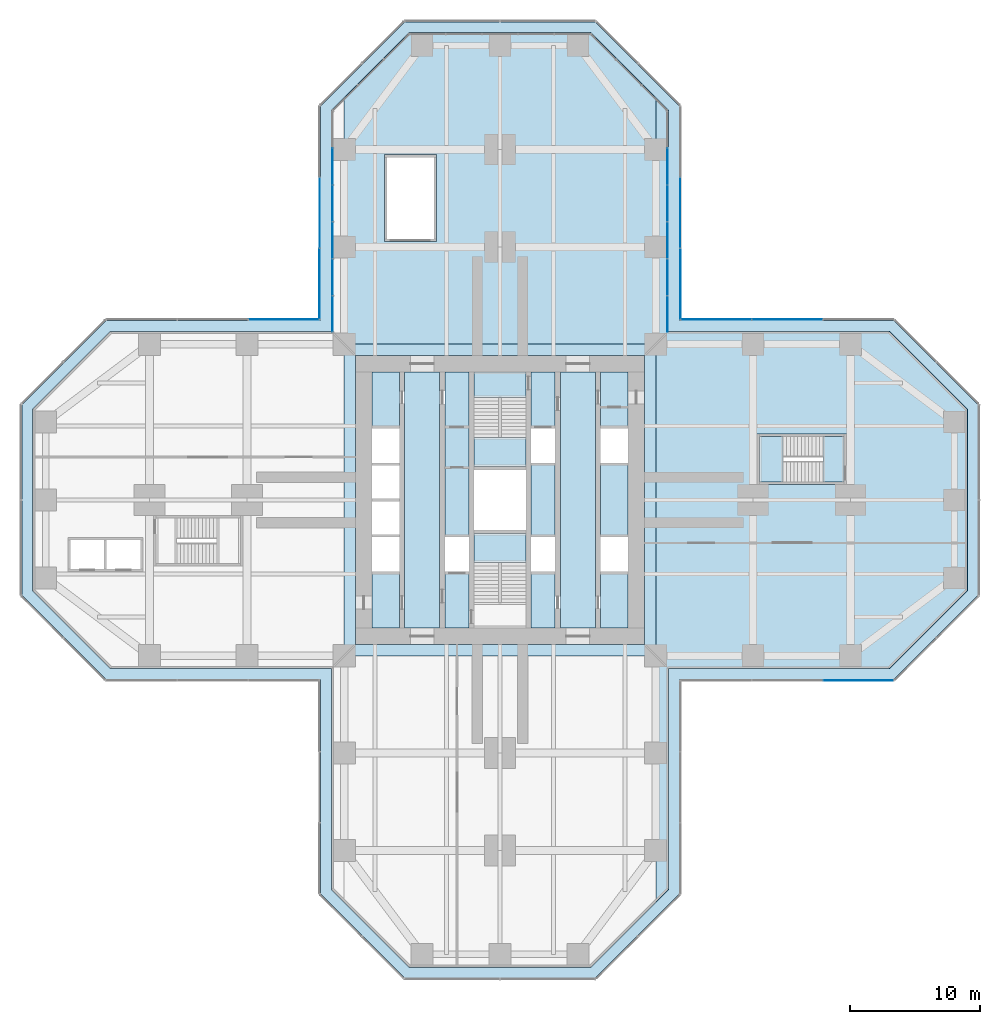
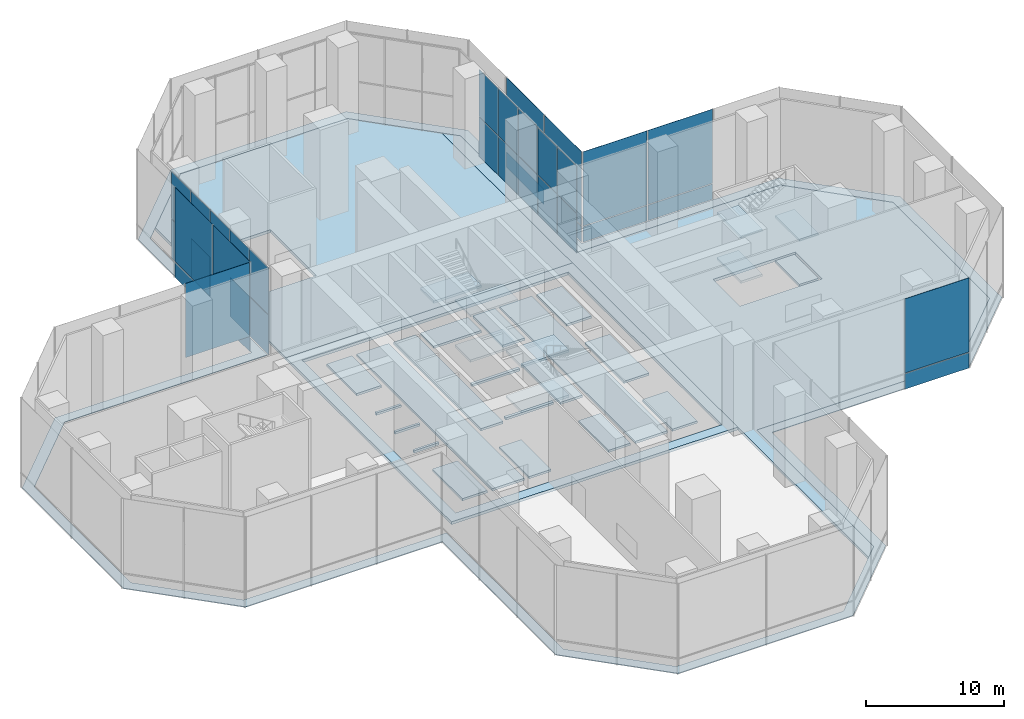
# One storey, part 15 of 25: 36 plates, 14 slabs, 10 elements without a shape of their own.
"""IFC4 building model written with IfcOpenShell, lengths in metres."""

from ifc_helpers import new_model, si_unit, direction, frame, origin, origin_2d, place, context, subcontext, project, spatial, polyline, rectangle, outline, extrude, material, layer, layer_set, type_object, element, aggregate, save


model = new_model("IFC4")

# Units and contexts
model_context = context("Model", 3, precision=1e-05, world=origin(), true_north=direction((0.0, 1.0)))
body_context = subcontext(model_context, "Body", "Model", "MODEL_VIEW")
ifc_project = project(units=[si_unit("LENGTHUNIT", "METRE"), si_unit("AREAUNIT", "SQUARE_METRE"), si_unit("VOLUMEUNIT", "CUBIC_METRE"), si_unit("PLANEANGLEUNIT", "RADIAN"), si_unit("MASSUNIT", "GRAM", prefix="KILO")], contexts=[model_context])

# Site, building, storey
site_placement = place(None, origin())
site = spatial("IfcSite", under=ifc_project, at=site_placement, CompositionType="ELEMENT")
building_placement = place(site_placement, origin())
building = spatial("IfcBuilding", under=site, at=building_placement, Name="Mizan Broadcast Tower", CompositionType="ELEMENT")
storey_placement = place(building_placement, frame((0.0, 0.0, 7.0)))
storey = spatial("IfcBuildingStorey", under=building, at=storey_placement, Name="L01", CompositionType="ELEMENT", Elevation=7.0)

# Plate
ifc_material_1 = material(Name="Aluminium grating", Category="aluminium")
ifc_layer_1 = layer(ifc_material_1, 0.050048828125)
ifc_layer_set_1 = layer_set([ifc_layer_1], Name="Aluminium grating")
plate_type_1 = type_object("IfcPlateType", Name="CAVITY GRATING", PredefinedType="USERDEFINED", material=ifc_layer_set_1)
plate_1_placement = place(storey_placement, frame((0.0, 0.0, -0.050048828125)))
element("IfcPlate", 1, at=plate_1_placement, inside=storey, type_object=plate_type_1, Name="Cavity grating L01", ObjectType="GRATING", PredefinedType="USERDEFINED", context=body_context, shape_type="SweptSolid", body=[
    extrude(outline(polyline([(7.339599609375, -36.820068359375), (13.820068359375, -30.339599609375), (13.820068359375, -13.820068359375), (30.339599609375, -13.820068359375), (36.820068359375, -7.339599609375), (36.820068359375, 7.339599609375), (30.339599609375, 13.820068359375), (13.820068359375, 13.820068359375), (13.820068359375, 30.339599609375), (7.339599609375, 36.820068359375), (-7.339599609375, 36.820068359375), (-13.820068359375, 30.339599609375), (-13.820068359375, 13.820068359375), (-30.339599609375, 13.820068359375), (-36.820068359375, 7.339599609375), (-36.820068359375, -7.339599609375), (-30.339599609375, -13.820068359375), (-13.820068359375, -13.820068359375), (-13.820068359375, -30.339599609375), (-7.339599609375, -36.820068359375), (7.339599609375, -36.820068359375)]), holes=[polyline([(36.0, -7.0), (30.0, -13.0), (13.0, -13.0), (13.0, -30.0), (7.0, -36.0), (-7.0, -36.0), (-13.0, -30.0), (-13.0, -13.0), (-30.0, -13.0), (-36.0, -7.0), (-36.0, 7.0), (-30.0, 13.0), (-13.0, 13.0), (-13.0, 30.0), (-7.0, 36.0), (7.0, 36.0), (13.0, 30.0), (13.0, 13.0), (30.0, 13.0), (36.0, 7.0), (36.0, -7.0)])]), origin(), (0.0, 0.0, 1.0), 0.050048828125),
])

# Slab
ifc_material_2 = material(Name="Concrete C40/50", Category="concrete")
ifc_layer_2 = layer(ifc_material_2, 0.199951171875)
ifc_layer_set_2 = layer_set([ifc_layer_2], Name="Concrete C40/50")
slab_type_1 = type_object("IfcSlabType", Name="CORE FLOOR 200", PredefinedType="FLOOR", material=ifc_layer_set_2)
slab_1_placement = place(storey_placement, frame((0.0, 0.0, -0.199951171875)))
element("IfcSlab", 2, at=slab_1_placement, inside=storey, type_object=slab_type_1, Name="Core floor L01", PredefinedType="FLOOR", context=body_context, shape_type="SweptSolid", body=[
    extrude(outline(polyline([(-9.85009765625, -9.85009765625), (-7.75, -9.85009765625), (-7.75, -5.5), (-9.85009765625, -5.5), (-9.85009765625, -9.85009765625)])), origin(), (0.0, 0.0, 1.0), 0.199951171875),
    extrude(outline(polyline([(-9.85009765625, -2.85009765625), (-7.75, -2.85009765625), (-7.75, -2.64990234375), (-9.85009765625, -2.64990234375), (-9.85009765625, -2.85009765625)])), origin(), (0.0, 0.0, 1.0), 0.199951171875),
    extrude(outline(polyline([(-9.85009765625, -0.10009765625), (-7.75, -0.10009765625), (-7.75, 0.10009765625), (-9.85009765625, 0.10009765625), (-9.85009765625, -0.10009765625)])), origin(), (0.0, 0.0, 1.0), 0.199951171875),
    extrude(outline(polyline([(-9.85009765625, 2.64990234375), (-7.75, 2.64990234375), (-7.75, 2.85009765625), (-9.85009765625, 2.85009765625), (-9.85009765625, 2.64990234375)])), origin(), (0.0, 0.0, 1.0), 0.199951171875),
    extrude(outline(polyline([(-9.85009765625, 5.5), (-7.75, 5.5), (-7.75, 9.85009765625), (-9.85009765625, 9.85009765625), (-9.85009765625, 5.5)])), origin(), (0.0, 0.0, 1.0), 0.199951171875),
    extrude(outline(polyline([(-4.64990234375, 9.85009765625), (-7.35009765625, 9.85009765625), (-7.35009765625, -9.85009765625), (-4.64990234375, -9.85009765625), (-4.64990234375, 9.85009765625)])), origin(), (0.0, 0.0, 1.0), 0.199951171875),
    extrude(outline(polyline([(-4.25, -5.5), (-4.25, -9.85009765625), (-2.39990234375, -9.85009765625), (-2.39990234375, -5.5), (-4.25, -5.5)])), origin(), (0.0, 0.0, 1.0), 0.199951171875),
    extrude(outline(polyline([(-4.25, -2.85009765625), (-2.39990234375, -2.85009765625), (-2.39990234375, 9.85009765625), (-4.25, 9.85009765625), (-4.25, -2.85009765625)])), origin(), (0.0, 0.0, 1.0), 0.199951171875),
    extrude(outline(polyline([(2.0, -2.324951171875), (-2.0, -2.324951171875), (-2.0, -2.574951171875), (2.0, -2.574951171875), (2.0, -2.324951171875)])), origin(), (0.0, 0.0, 1.0), 0.199951171875),
    extrude(outline(polyline([(2.0, 2.574951171875), (-2.0, 2.574951171875), (-2.0, 2.324951171875), (2.0, 2.324951171875), (2.0, 2.574951171875)])), origin(), (0.0, 0.0, 1.0), 0.199951171875),
    extrude(outline(polyline([(4.25, -9.85009765625), (4.25, -5.5), (2.39990234375, -5.5), (2.39990234375, -9.85009765625), (4.25, -9.85009765625)])), origin(), (0.0, 0.0, 1.0), 0.199951171875),
    extrude(outline(polyline([(4.25, -2.85009765625), (4.25, 2.85009765625), (2.39990234375, 2.85009765625), (2.39990234375, -2.85009765625), (4.25, -2.85009765625)])), origin(), (0.0, 0.0, 1.0), 0.199951171875),
    extrude(outline(polyline([(4.25, 5.5), (4.25, 9.85009765625), (2.39990234375, 9.85009765625), (2.39990234375, 5.5), (4.25, 5.5)])), origin(), (0.0, 0.0, 1.0), 0.199951171875),
    extrude(outline(polyline([(4.64990234375, 9.85009765625), (4.64990234375, -9.85009765625), (7.35009765625, -9.85009765625), (7.35009765625, 9.85009765625), (4.64990234375, 9.85009765625)])), origin(), (0.0, 0.0, 1.0), 0.199951171875),
    extrude(outline(polyline([(9.85009765625, -9.85009765625), (9.85009765625, -5.5), (7.75, -5.5), (7.75, -9.85009765625), (9.85009765625, -9.85009765625)])), origin(), (0.0, 0.0, 1.0), 0.199951171875),
    extrude(outline(polyline([(7.75, 2.85009765625), (7.75, -2.85009765625), (9.85009765625, -2.85009765625), (9.85009765625, 2.85009765625), (7.75, 2.85009765625)])), origin(), (0.0, 0.0, 1.0), 0.199951171875),
    extrude(outline(polyline([(9.85009765625, 5.5), (9.85009765625, 9.85009765625), (7.75, 9.85009765625), (7.75, 5.5), (9.85009765625, 5.5)])), origin(), (0.0, 0.0, 1.0), 0.199951171875),
])

# Curtain wall, plates
ifc_material_3 = material(Name="Aluminium framed glazing", Category="aluminium")
curtain_wall_type_1 = type_object("IfcCurtainWallType", Name="OUTER SKIN", PredefinedType="USERDEFINED", material=ifc_material_3)
curtain_wall_1_placement = place(storey_placement, origin())
curtain_wall_1 = element("IfcCurtainWall", 3, at=curtain_wall_1_placement, inside=storey, type_object=curtain_wall_type_1, Name="Outer skin L01 E side", ObjectType="OUTER SKIN", PredefinedType="USERDEFINED")
ifc_material_4 = material(Name="Laminated clear glass", Category="glass")
ifc_layer_3 = layer(ifc_material_4, 0.02001953125)
ifc_layer_set_3 = layer_set([ifc_layer_3], Name="Laminated clear glass")
plate_type_2 = type_object("IfcPlateType", Name="OUTER SKIN CLEAR GLASS", PredefinedType="CURTAIN_PANEL", material=ifc_layer_set_3)
plate_2_placement = place(storey_placement, frame((27.607421875, -13.89990234375, 0.0), z_axis=(0.0, 0.0, 1.0), x_axis=(1.0, 0.0, 0.0)))
plate_2 = element("IfcPlate", 4, at=plate_2_placement, type_object=plate_type_2, Name="Outer skin L01 E side panel 3.1", PredefinedType="CURTAIN_PANEL", context=body_context, shape_type="SweptSolid", body=[
    extrude(rectangle(XDim=5.370849609375, YDim=0.02001953125, at=origin_2d()), origin(), (0.0, 0.0, 1.0), 1.3701171875),
])
plate_3_placement = place(storey_placement, frame((27.607421875, -13.89990234375, 1.43017578125), z_axis=(0.0, 0.0, 1.0), x_axis=(1.0, 0.0, 0.0)))
plate_3 = element("IfcPlate", 5, at=plate_3_placement, type_object=plate_type_2, Name="Outer skin L01 E side panel 3.2", PredefinedType="CURTAIN_PANEL", context=body_context, shape_type="SweptSolid", body=[
    extrude(rectangle(XDim=5.370849609375, YDim=0.02001953125, at=origin_2d()), origin(), (0.0, 0.0, 1.0), 6.570068359375),
])
aggregate(curtain_wall_1, [plate_2, plate_3])

curtain_wall_2_placement = place(storey_placement, origin())
curtain_wall_2 = element("IfcCurtainWall", 6, at=curtain_wall_2_placement, inside=storey, type_object=curtain_wall_type_1, Name="Outer skin L01 E side", ObjectType="OUTER SKIN", PredefinedType="USERDEFINED")
plate_4_placement = place(storey_placement, frame((22.136474609375, 13.89990234375, 0.0), z_axis=(0.0, 0.0, 1.0), x_axis=(-1.0, 0.0, 0.0)))
plate_4 = element("IfcPlate", 7, at=plate_4_placement, type_object=plate_type_2, Name="Outer skin L01 E side panel 2.1", PredefinedType="CURTAIN_PANEL", context=body_context, shape_type="SweptSolid", body=[
    extrude(rectangle(XDim=5.410888671875, YDim=0.02001953125, at=origin_2d()), origin(), (0.0, 0.0, 1.0), 1.3701171875),
])
plate_5_placement = place(storey_placement, frame((22.136474609375, 13.89990234375, 1.43017578125), z_axis=(0.0, 0.0, 1.0), x_axis=(-1.0, 0.0, 0.0)))
plate_5 = element("IfcPlate", 8, at=plate_5_placement, type_object=plate_type_2, Name="Outer skin L01 E side panel 2.2", PredefinedType="CURTAIN_PANEL", context=body_context, shape_type="SweptSolid", body=[
    extrude(rectangle(XDim=5.410888671875, YDim=0.02001953125, at=origin_2d()), origin(), (0.0, 0.0, 1.0), 6.570068359375),
])
plate_6_placement = place(storey_placement, frame((16.66552734375, 13.89990234375, 0.0), z_axis=(0.0, 0.0, 1.0), x_axis=(-1.0, 0.0, 0.0)))
plate_6 = element("IfcPlate", 9, at=plate_6_placement, type_object=plate_type_2, Name="Outer skin L01 E side panel 3.1", PredefinedType="CURTAIN_PANEL", context=body_context, shape_type="SweptSolid", body=[
    extrude(rectangle(XDim=5.370849609375, YDim=0.02001953125, at=origin_2d()), origin(), (0.0, 0.0, 1.0), 1.3701171875),
])
plate_7_placement = place(storey_placement, frame((16.66552734375, 13.89990234375, 1.43017578125), z_axis=(0.0, 0.0, 1.0), x_axis=(-1.0, 0.0, 0.0)))
plate_7 = element("IfcPlate", 10, at=plate_7_placement, type_object=plate_type_2, Name="Outer skin L01 E side panel 3.2", PredefinedType="CURTAIN_PANEL", context=body_context, shape_type="SweptSolid", body=[
    extrude(rectangle(XDim=5.370849609375, YDim=0.02001953125, at=origin_2d()), origin(), (0.0, 0.0, 1.0), 6.570068359375),
])
aggregate(curtain_wall_2, [plate_4, plate_5, plate_6, plate_7])

curtain_wall_3_placement = place(storey_placement, origin())
curtain_wall_3 = element("IfcCurtainWall", 11, at=curtain_wall_3_placement, inside=storey, type_object=curtain_wall_type_1, Name="Outer skin L01 N side", ObjectType="OUTER SKIN", PredefinedType="USERDEFINED")
plate_8_placement = place(storey_placement, frame((13.89990234375, 16.66552734375, 0.0), z_axis=(0.0, 0.0, 1.0), x_axis=(0.0, 1.0, 0.0)))
plate_8 = element("IfcPlate", 12, at=plate_8_placement, type_object=plate_type_2, Name="Outer skin L01 N side panel 1.1", PredefinedType="CURTAIN_PANEL", context=body_context, shape_type="SweptSolid", body=[
    extrude(rectangle(XDim=5.370849609375, YDim=0.02001953125, at=origin_2d()), origin(), (0.0, 0.0, 1.0), 1.3701171875),
])
plate_9_placement = place(storey_placement, frame((13.89990234375, 16.66552734375, 1.43017578125), z_axis=(0.0, 0.0, 1.0), x_axis=(0.0, 1.0, 0.0)))
plate_9 = element("IfcPlate", 13, at=plate_9_placement, type_object=plate_type_2, Name="Outer skin L01 N side panel 1.2", PredefinedType="CURTAIN_PANEL", context=body_context, shape_type="SweptSolid", body=[
    extrude(rectangle(XDim=5.370849609375, YDim=0.02001953125, at=origin_2d()), origin(), (0.0, 0.0, 1.0), 6.570068359375),
])

curtain_wall_4_placement = place(storey_placement, origin())
curtain_wall_4 = element("IfcCurtainWall", 14, at=curtain_wall_4_placement, inside=storey, type_object=curtain_wall_type_1, Name="Outer skin L01 N side", ObjectType="OUTER SKIN", PredefinedType="USERDEFINED")
plate_10_placement = place(storey_placement, frame((-13.89990234375, 16.66552734375, 0.0), z_axis=(0.0, 0.0, 1.0), x_axis=(0.0, -1.0, 0.0)))
plate_10 = element("IfcPlate", 15, at=plate_10_placement, type_object=plate_type_2, Name="Outer skin L01 N side panel 3.1", PredefinedType="CURTAIN_PANEL", context=body_context, shape_type="SweptSolid", body=[
    extrude(rectangle(XDim=5.370849609375, YDim=0.02001953125, at=origin_2d()), origin(), (0.0, 0.0, 1.0), 1.3701171875),
])
plate_11_placement = place(storey_placement, frame((-13.89990234375, 16.66552734375, 1.43017578125), z_axis=(0.0, 0.0, 1.0), x_axis=(0.0, -1.0, 0.0)))
plate_11 = element("IfcPlate", 16, at=plate_11_placement, type_object=plate_type_2, Name="Outer skin L01 N side panel 3.2", PredefinedType="CURTAIN_PANEL", context=body_context, shape_type="SweptSolid", body=[
    extrude(rectangle(XDim=5.370849609375, YDim=0.02001953125, at=origin_2d()), origin(), (0.0, 0.0, 1.0), 6.570068359375),
])

# Curtain wall, plate
curtain_wall_5_placement = place(storey_placement, origin())
curtain_wall_5 = element("IfcCurtainWall", 17, at=curtain_wall_5_placement, inside=storey, type_object=curtain_wall_type_1, Name="Outer skin L01 W side", ObjectType="OUTER SKIN", PredefinedType="USERDEFINED")
plate_12_placement = place(storey_placement, frame((-16.66552734375, 13.89990234375, 1.43017578125), z_axis=(0.0, 0.0, 1.0), x_axis=(-1.0, 0.0, 0.0)))
plate_12 = element("IfcPlate", 18, at=plate_12_placement, type_object=plate_type_2, Name="Outer skin L01 W side panel 1.2", PredefinedType="CURTAIN_PANEL", context=body_context, shape_type="SweptSolid", body=[
    extrude(rectangle(XDim=5.370849609375, YDim=0.02001953125, at=origin_2d()), origin(), (0.0, 0.0, 1.0), 6.570068359375),
])
aggregate(curtain_wall_5, [plate_12])

# Plate
ifc_material_5 = material(Name="Perforated aluminium, pale anodised", Category="aluminium")
ifc_layer_4 = layer(ifc_material_5, 0.011962890625)
ifc_layer_set_4 = layer_set([ifc_layer_4], Name="Perforated aluminium, pale anodised")
plate_type_3 = type_object("IfcPlateType", Name="OUTER SKIN PERFORATED SCREEN", PredefinedType="USERDEFINED", material=ifc_layer_set_4)
plate_13_placement = place(storey_placement, frame((13.89990234375, 22.136474609375, 0.0), z_axis=(0.0, 0.0, 1.0), x_axis=(0.0, 1.0, 0.0)))
plate_13 = element("IfcPlate", 19, at=plate_13_placement, type_object=plate_type_3, Name="Outer skin L01 N side panel 2.1", ObjectType="SCREEN", PredefinedType="USERDEFINED", context=body_context, shape_type="SweptSolid", body=[
    extrude(rectangle(XDim=5.410888671875, YDim=0.011962890625, at=origin_2d()), origin(), (0.0, 0.0, 1.0), 1.3701171875),
])

plate_14_placement = place(storey_placement, frame((13.89990234375, 22.136474609375, 1.43017578125), z_axis=(0.0, 0.0, 1.0), x_axis=(0.0, 1.0, 0.0)))
plate_14 = element("IfcPlate", 20, at=plate_14_placement, type_object=plate_type_3, Name="Outer skin L01 N side panel 2.2", ObjectType="SCREEN", PredefinedType="USERDEFINED", context=body_context, shape_type="SweptSolid", body=[
    extrude(rectangle(XDim=5.410888671875, YDim=0.011962890625, at=origin_2d()), origin(), (0.0, 0.0, 1.0), 6.570068359375),
])

aggregate(curtain_wall_3, [plate_8, plate_9, plate_13, plate_14])

plate_15_placement = place(storey_placement, frame((-13.89990234375, 22.136474609375, 0.0), z_axis=(0.0, 0.0, 1.0), x_axis=(0.0, -1.0, 0.0)))
plate_15 = element("IfcPlate", 21, at=plate_15_placement, type_object=plate_type_3, Name="Outer skin L01 N side panel 2.1", ObjectType="SCREEN", PredefinedType="USERDEFINED", context=body_context, shape_type="SweptSolid", body=[
    extrude(rectangle(XDim=5.410888671875, YDim=0.011962890625, at=origin_2d()), origin(), (0.0, 0.0, 1.0), 1.3701171875),
])

plate_16_placement = place(storey_placement, frame((-13.89990234375, 22.136474609375, 1.43017578125), z_axis=(0.0, 0.0, 1.0), x_axis=(0.0, -1.0, 0.0)))
plate_16 = element("IfcPlate", 22, at=plate_16_placement, type_object=plate_type_3, Name="Outer skin L01 N side panel 2.2", ObjectType="SCREEN", PredefinedType="USERDEFINED", context=body_context, shape_type="SweptSolid", body=[
    extrude(rectangle(XDim=5.410888671875, YDim=0.011962890625, at=origin_2d()), origin(), (0.0, 0.0, 1.0), 6.570068359375),
])

aggregate(curtain_wall_4, [plate_15, plate_16, plate_10, plate_11])

# Curtain wall, plates
ifc_material_6 = material(Name="Aluminium framed glazing", Category="aluminium")
curtain_wall_type_2 = type_object("IfcCurtainWallType", Name="PODIUM CURTAIN WALL", PredefinedType="USERDEFINED", material=ifc_material_6)
curtain_wall_6_placement = place(storey_placement, origin())
curtain_wall_6 = element("IfcCurtainWall", 23, at=curtain_wall_6_placement, inside=storey, type_object=curtain_wall_type_2, Name="Podium curtain wall L01 N side", ObjectType="PODIUM CURTAIN WALL", PredefinedType="USERDEFINED")
ifc_material_7 = material(Name="Double glazing, clear laminated", Category="glass")
ifc_layer_5 = layer(ifc_material_7, 0.031982421875)
ifc_layer_set_5 = layer_set([ifc_layer_5], Name="Double glazing, clear laminated")
plate_type_4 = type_object("IfcPlateType", Name="PODIUM GLAZING UNIT", PredefinedType="CURTAIN_PANEL", material=ifc_layer_set_5)
plate_17_placement = place(storey_placement, frame((12.89990234375, 14.336669921875, 0.0), z_axis=(0.0, 0.0, 1.0), x_axis=(0.0, 1.0, 0.0)))
plate_17 = element("IfcPlate", 24, at=plate_17_placement, type_object=plate_type_4, Name="Podium curtain wall L01 N side panel 1.1", PredefinedType="CURTAIN_PANEL", context=body_context, shape_type="SweptSolid", body=[
    extrude(rectangle(XDim=2.753173828125, YDim=0.031982421875, at=origin_2d()), origin(), (0.0, 0.0, 1.0), 3.469970703125),
])
plate_18_placement = place(storey_placement, frame((12.89990234375, 14.336669921875, 3.5302734375), z_axis=(0.0, 0.0, 1.0), x_axis=(0.0, 1.0, 0.0)))
plate_18 = element("IfcPlate", 25, at=plate_18_placement, type_object=plate_type_4, Name="Podium curtain wall L01 N side panel 1.2", PredefinedType="CURTAIN_PANEL", context=body_context, shape_type="SweptSolid", body=[
    extrude(rectangle(XDim=2.753173828125, YDim=0.031982421875, at=origin_2d()), origin(), (0.0, 0.0, 1.0), 4.159912109375),
])
plate_19_placement = place(storey_placement, frame((12.89990234375, 17.16455078125, 0.0), z_axis=(0.0, 0.0, 1.0), x_axis=(0.0, 1.0, 0.0)))
plate_19 = element("IfcPlate", 26, at=plate_19_placement, type_object=plate_type_4, Name="Podium curtain wall L01 N side panel 2.1", PredefinedType="CURTAIN_PANEL", context=body_context, shape_type="SweptSolid", body=[
    extrude(rectangle(XDim=2.783203125, YDim=0.031982421875, at=origin_2d()), origin(), (0.0, 0.0, 1.0), 3.469970703125),
])
plate_20_placement = place(storey_placement, frame((12.89990234375, 17.16455078125, 3.5302734375), z_axis=(0.0, 0.0, 1.0), x_axis=(0.0, 1.0, 0.0)))
plate_20 = element("IfcPlate", 27, at=plate_20_placement, type_object=plate_type_4, Name="Podium curtain wall L01 N side panel 2.2", PredefinedType="CURTAIN_PANEL", context=body_context, shape_type="SweptSolid", body=[
    extrude(rectangle(XDim=2.783203125, YDim=0.031982421875, at=origin_2d()), origin(), (0.0, 0.0, 1.0), 4.159912109375),
])
plate_21_placement = place(storey_placement, frame((12.89990234375, 20.0078125, 0.0), z_axis=(0.0, 0.0, 1.0), x_axis=(0.0, 1.0, 0.0)))
plate_21 = element("IfcPlate", 28, at=plate_21_placement, type_object=plate_type_4, Name="Podium curtain wall L01 N side panel 3.1", PredefinedType="CURTAIN_PANEL", context=body_context, shape_type="SweptSolid", body=[
    extrude(rectangle(XDim=2.783203125, YDim=0.031982421875, at=origin_2d()), origin(), (0.0, 0.0, 1.0), 3.469970703125),
])
plate_22_placement = place(storey_placement, frame((12.89990234375, 20.0078125, 3.5302734375), z_axis=(0.0, 0.0, 1.0), x_axis=(0.0, 1.0, 0.0)))
plate_22 = element("IfcPlate", 29, at=plate_22_placement, type_object=plate_type_4, Name="Podium curtain wall L01 N side panel 3.2", PredefinedType="CURTAIN_PANEL", context=body_context, shape_type="SweptSolid", body=[
    extrude(rectangle(XDim=2.783203125, YDim=0.031982421875, at=origin_2d()), origin(), (0.0, 0.0, 1.0), 4.159912109375),
])
plate_23_placement = place(storey_placement, frame((12.89990234375, 22.850830078125, 0.0), z_axis=(0.0, 0.0, 1.0), x_axis=(0.0, 1.0, 0.0)))
plate_23 = element("IfcPlate", 30, at=plate_23_placement, type_object=plate_type_4, Name="Podium curtain wall L01 N side panel 4.1", PredefinedType="CURTAIN_PANEL", context=body_context, shape_type="SweptSolid", body=[
    extrude(rectangle(XDim=2.783203125, YDim=0.031982421875, at=origin_2d()), origin(), (0.0, 0.0, 1.0), 3.469970703125),
])
plate_24_placement = place(storey_placement, frame((12.89990234375, 22.850830078125, 3.5302734375), z_axis=(0.0, 0.0, 1.0), x_axis=(0.0, 1.0, 0.0)))
plate_24 = element("IfcPlate", 31, at=plate_24_placement, type_object=plate_type_4, Name="Podium curtain wall L01 N side panel 4.2", PredefinedType="CURTAIN_PANEL", context=body_context, shape_type="SweptSolid", body=[
    extrude(rectangle(XDim=2.783203125, YDim=0.031982421875, at=origin_2d()), origin(), (0.0, 0.0, 1.0), 4.159912109375),
])
plate_25_placement = place(storey_placement, frame((12.89990234375, 25.69384765625, 0.0), z_axis=(0.0, 0.0, 1.0), x_axis=(0.0, 1.0, 0.0)))
plate_25 = element("IfcPlate", 32, at=plate_25_placement, type_object=plate_type_4, Name="Podium curtain wall L01 N side panel 5.1", PredefinedType="CURTAIN_PANEL", context=body_context, shape_type="SweptSolid", body=[
    extrude(rectangle(XDim=2.783203125, YDim=0.031982421875, at=origin_2d()), origin(), (0.0, 0.0, 1.0), 3.469970703125),
])
plate_26_placement = place(storey_placement, frame((12.89990234375, 25.69384765625, 3.5302734375), z_axis=(0.0, 0.0, 1.0), x_axis=(0.0, 1.0, 0.0)))
plate_26 = element("IfcPlate", 33, at=plate_26_placement, type_object=plate_type_4, Name="Podium curtain wall L01 N side panel 5.2", PredefinedType="CURTAIN_PANEL", context=body_context, shape_type="SweptSolid", body=[
    extrude(rectangle(XDim=2.783203125, YDim=0.031982421875, at=origin_2d()), origin(), (0.0, 0.0, 1.0), 4.159912109375),
])
aggregate(curtain_wall_6, [plate_17, plate_18, plate_19, plate_20, plate_21, plate_22, plate_23, plate_24, plate_25, plate_26])

curtain_wall_7_placement = place(storey_placement, origin())
curtain_wall_7 = element("IfcCurtainWall", 34, at=curtain_wall_7_placement, inside=storey, type_object=curtain_wall_type_2, Name="Podium curtain wall L01 N side", ObjectType="PODIUM CURTAIN WALL", PredefinedType="USERDEFINED")
plate_27_placement = place(storey_placement, frame((-12.89990234375, 25.69384765625, 0.0), z_axis=(0.0, 0.0, 1.0), x_axis=(0.0, -1.0, 0.0)))
plate_27 = element("IfcPlate", 35, at=plate_27_placement, type_object=plate_type_4, Name="Podium curtain wall L01 N side panel 2.1", PredefinedType="CURTAIN_PANEL", context=body_context, shape_type="SweptSolid", body=[
    extrude(rectangle(XDim=2.783203125, YDim=0.031982421875, at=origin_2d()), origin(), (0.0, 0.0, 1.0), 3.469970703125),
])
plate_28_placement = place(storey_placement, frame((-12.89990234375, 25.69384765625, 3.5302734375), z_axis=(0.0, 0.0, 1.0), x_axis=(0.0, -1.0, 0.0)))
plate_28 = element("IfcPlate", 36, at=plate_28_placement, type_object=plate_type_4, Name="Podium curtain wall L01 N side panel 2.2", PredefinedType="CURTAIN_PANEL", context=body_context, shape_type="SweptSolid", body=[
    extrude(rectangle(XDim=2.783203125, YDim=0.031982421875, at=origin_2d()), origin(), (0.0, 0.0, 1.0), 4.159912109375),
])
plate_29_placement = place(storey_placement, frame((-12.89990234375, 22.850830078125, 0.0), z_axis=(0.0, 0.0, 1.0), x_axis=(0.0, -1.0, 0.0)))
plate_29 = element("IfcPlate", 37, at=plate_29_placement, type_object=plate_type_4, Name="Podium curtain wall L01 N side panel 3.1", PredefinedType="CURTAIN_PANEL", context=body_context, shape_type="SweptSolid", body=[
    extrude(rectangle(XDim=2.783203125, YDim=0.031982421875, at=origin_2d()), origin(), (0.0, 0.0, 1.0), 3.469970703125),
])
plate_30_placement = place(storey_placement, frame((-12.89990234375, 22.850830078125, 3.5302734375), z_axis=(0.0, 0.0, 1.0), x_axis=(0.0, -1.0, 0.0)))
plate_30 = element("IfcPlate", 38, at=plate_30_placement, type_object=plate_type_4, Name="Podium curtain wall L01 N side panel 3.2", PredefinedType="CURTAIN_PANEL", context=body_context, shape_type="SweptSolid", body=[
    extrude(rectangle(XDim=2.783203125, YDim=0.031982421875, at=origin_2d()), origin(), (0.0, 0.0, 1.0), 4.159912109375),
])
plate_31_placement = place(storey_placement, frame((-12.89990234375, 20.0078125, 0.0), z_axis=(0.0, 0.0, 1.0), x_axis=(0.0, -1.0, 0.0)))
plate_31 = element("IfcPlate", 39, at=plate_31_placement, type_object=plate_type_4, Name="Podium curtain wall L01 N side panel 4.1", PredefinedType="CURTAIN_PANEL", context=body_context, shape_type="SweptSolid", body=[
    extrude(rectangle(XDim=2.783203125, YDim=0.031982421875, at=origin_2d()), origin(), (0.0, 0.0, 1.0), 3.469970703125),
])
plate_32_placement = place(storey_placement, frame((-12.89990234375, 20.0078125, 3.5302734375), z_axis=(0.0, 0.0, 1.0), x_axis=(0.0, -1.0, 0.0)))
plate_32 = element("IfcPlate", 40, at=plate_32_placement, type_object=plate_type_4, Name="Podium curtain wall L01 N side panel 4.2", PredefinedType="CURTAIN_PANEL", context=body_context, shape_type="SweptSolid", body=[
    extrude(rectangle(XDim=2.783203125, YDim=0.031982421875, at=origin_2d()), origin(), (0.0, 0.0, 1.0), 4.159912109375),
])
plate_33_placement = place(storey_placement, frame((-12.89990234375, 17.16455078125, 0.0), z_axis=(0.0, 0.0, 1.0), x_axis=(0.0, -1.0, 0.0)))
plate_33 = element("IfcPlate", 41, at=plate_33_placement, type_object=plate_type_4, Name="Podium curtain wall L01 N side panel 5.1", PredefinedType="CURTAIN_PANEL", context=body_context, shape_type="SweptSolid", body=[
    extrude(rectangle(XDim=2.783203125, YDim=0.031982421875, at=origin_2d()), origin(), (0.0, 0.0, 1.0), 3.469970703125),
])
plate_34_placement = place(storey_placement, frame((-12.89990234375, 17.16455078125, 3.5302734375), z_axis=(0.0, 0.0, 1.0), x_axis=(0.0, -1.0, 0.0)))
plate_34 = element("IfcPlate", 42, at=plate_34_placement, type_object=plate_type_4, Name="Podium curtain wall L01 N side panel 5.2", PredefinedType="CURTAIN_PANEL", context=body_context, shape_type="SweptSolid", body=[
    extrude(rectangle(XDim=2.783203125, YDim=0.031982421875, at=origin_2d()), origin(), (0.0, 0.0, 1.0), 4.159912109375),
])
plate_35_placement = place(storey_placement, frame((-12.89990234375, 14.336669921875, 0.0), z_axis=(0.0, 0.0, 1.0), x_axis=(0.0, -1.0, 0.0)))
plate_35 = element("IfcPlate", 43, at=plate_35_placement, type_object=plate_type_4, Name="Podium curtain wall L01 N side panel 6.1", PredefinedType="CURTAIN_PANEL", context=body_context, shape_type="SweptSolid", body=[
    extrude(rectangle(XDim=2.753173828125, YDim=0.031982421875, at=origin_2d()), origin(), (0.0, 0.0, 1.0), 3.469970703125),
])
plate_36_placement = place(storey_placement, frame((-12.89990234375, 14.336669921875, 3.5302734375), z_axis=(0.0, 0.0, 1.0), x_axis=(0.0, -1.0, 0.0)))
plate_36 = element("IfcPlate", 44, at=plate_36_placement, type_object=plate_type_4, Name="Podium curtain wall L01 N side panel 6.2", PredefinedType="CURTAIN_PANEL", context=body_context, shape_type="SweptSolid", body=[
    extrude(rectangle(XDim=2.753173828125, YDim=0.031982421875, at=origin_2d()), origin(), (0.0, 0.0, 1.0), 4.159912109375),
])
aggregate(curtain_wall_7, [plate_27, plate_28, plate_29, plate_30, plate_31, plate_32, plate_33, plate_34, plate_35, plate_36])

# Slabs
ifc_material_8 = material(Name="Concrete C40/50", Category="concrete")
ifc_layer_6 = layer(ifc_material_8, 0.25)
ifc_layer_set_6 = layer_set([ifc_layer_6], Name="Concrete C40/50")
slab_type_2 = type_object("IfcSlabType", Name="RC FLAT SLAB 250", PredefinedType="FLOOR", material=ifc_layer_set_6)
slab_2_placement = place(storey_placement, frame((0.0, 0.0, -0.25)))
element("IfcSlab", 45, at=slab_2_placement, inside=storey, type_object=slab_type_2, Name="Floor slab L01 centre", PredefinedType="FLOOR", context=body_context, shape_type="SweptSolid", body=[
    extrude(outline(polyline([(-12.0, -12.0), (12.0, -12.0), (12.0, 12.0), (-12.0, 12.0), (-12.0, -12.0)]), holes=[polyline([(-11.14990234375, 11.14990234375), (11.14990234375, 11.14990234375), (11.14990234375, -11.14990234375), (-11.14990234375, -11.14990234375), (-11.14990234375, 11.14990234375)])]), origin(), (0.0, 0.0, 1.0), 0.25),
])
slab_3_placement = place(storey_placement, frame((0.0, 0.0, -0.25)))
element("IfcSlab", 46, at=slab_3_placement, inside=storey, type_object=slab_type_2, Name="Floor slab L01 east arm", PredefinedType="FLOOR", context=body_context, shape_type="SweptSolid", body=[
    extrude(outline(polyline([(13.0, 30.0), (12.0, 31.0), (12.0, -31.0), (13.0, -30.0), (13.0, -13.0), (30.0, -13.0), (36.0, -7.0), (36.0, 7.0), (30.0, 13.0), (13.0, 13.0), (13.0, 30.0)]), holes=[polyline([(26.699951171875, 1.199951171875), (19.800048828125, 1.199951171875), (19.800048828125, 5.10009765625), (26.699951171875, 5.10009765625), (26.699951171875, 1.199951171875)])]), origin(), (0.0, 0.0, 1.0), 0.25),
])
slab_4_placement = place(storey_placement, frame((0.0, 0.0, -0.25)))
element("IfcSlab", 47, at=slab_4_placement, inside=storey, type_object=slab_type_2, Name="Floor slab L01 north arm", PredefinedType="FLOOR", context=body_context, shape_type="SweptSolid", body=[
    extrude(outline(polyline([(-7.0, 36.0), (-12.0, 31.0), (-12.0, 12.0), (12.0, 12.0), (12.0, 31.0), (7.0, 36.0), (-7.0, 36.0)]), holes=[polyline([(-8.89990234375, 26.60009765625), (-4.89990234375, 26.60009765625), (-4.89990234375, 19.89990234375), (-8.89990234375, 19.89990234375), (-8.89990234375, 26.60009765625)])]), origin(), (0.0, 0.0, 1.0), 0.25),
])

# Stair, slabs
ifc_material_9 = material(Name="Concrete C40/50", Category="concrete")
stair_type = type_object("IfcStairType", Name="EXIT STAIR", PredefinedType="HALF_TURN_STAIR", material=ifc_material_9)
stair_1_placement = place(storey_placement, origin())
stair_1 = element("IfcStair", 48, at=stair_1_placement, inside=storey, type_object=stair_type, Name="Stair A L01", PredefinedType="HALF_TURN_STAIR")
ifc_material_10 = material(Name="Concrete C40/50", Category="concrete")
ifc_layer_7 = layer(ifc_material_10, 0.199951171875)
ifc_layer_set_7 = layer_set([ifc_layer_7], Name="Concrete C40/50")
slab_type_3 = type_object("IfcSlabType", Name="STAIR LANDING 200", PredefinedType="LANDING", material=ifc_layer_set_7)
slab_5_placement = place(storey_placement, frame((0.0, 0.0, 1.800048828125)))
slab_5 = element("IfcSlab", 49, at=slab_5_placement, type_object=slab_type_3, Name="A landing 2", PredefinedType="LANDING", context=body_context, shape_type="SweptSolid", body=[
    extrude(outline(polyline([(-2.0, -4.820068359375), (-2.0, -2.574951171875), (2.0, -2.574951171875), (2.0, -4.820068359375), (-2.0, -4.820068359375)])), origin(), (0.0, 0.0, 1.0), 0.199951171875),
])
slab_6_placement = place(storey_placement, frame((0.0, 0.0, 5.800048828125)))
slab_6 = element("IfcSlab", 50, at=slab_6_placement, type_object=slab_type_3, Name="A landing 4", PredefinedType="LANDING", context=body_context, shape_type="SweptSolid", body=[
    extrude(outline(polyline([(-2.0, -4.820068359375), (-2.0, -2.574951171875), (2.0, -2.574951171875), (2.0, -4.820068359375), (-2.0, -4.820068359375)])), origin(), (0.0, 0.0, 1.0), 0.199951171875),
])
aggregate(stair_1, [slab_5, slab_6])

stair_2_placement = place(storey_placement, origin())
stair_2 = element("IfcStair", 51, at=stair_2_placement, inside=storey, type_object=stair_type, Name="Stair B L01", PredefinedType="HALF_TURN_STAIR")
slab_7_placement = place(storey_placement, frame((0.0, 0.0, -0.199951171875)))
slab_7 = element("IfcSlab", 52, at=slab_7_placement, type_object=slab_type_3, Name="B landing 1", PredefinedType="LANDING", context=body_context, shape_type="SweptSolid", body=[
    extrude(outline(polyline([(2.0, 9.85009765625), (2.0, 7.89990234375), (-2.0, 7.89990234375), (-2.0, 9.85009765625), (2.0, 9.85009765625)])), origin(), (0.0, 0.0, 1.0), 0.199951171875),
])
slab_8_placement = place(storey_placement, frame((0.0, 0.0, 1.800048828125)))
slab_8 = element("IfcSlab", 53, at=slab_8_placement, type_object=slab_type_3, Name="B landing 2", PredefinedType="LANDING", context=body_context, shape_type="SweptSolid", body=[
    extrude(outline(polyline([(2.0, 4.820068359375), (2.0, 2.574951171875), (-2.0, 2.574951171875), (-2.0, 4.820068359375), (2.0, 4.820068359375)])), origin(), (0.0, 0.0, 1.0), 0.199951171875),
])
slab_9_placement = place(storey_placement, frame((0.0, 0.0, 3.800048828125)))
slab_9 = element("IfcSlab", 54, at=slab_9_placement, type_object=slab_type_3, Name="B landing 3", PredefinedType="LANDING", context=body_context, shape_type="SweptSolid", body=[
    extrude(outline(polyline([(2.0, 9.85009765625), (2.0, 7.89990234375), (-2.0, 7.89990234375), (-2.0, 9.85009765625), (2.0, 9.85009765625)])), origin(), (0.0, 0.0, 1.0), 0.199951171875),
])
slab_10_placement = place(storey_placement, frame((0.0, 0.0, 5.800048828125)))
slab_10 = element("IfcSlab", 55, at=slab_10_placement, type_object=slab_type_3, Name="B landing 4", PredefinedType="LANDING", context=body_context, shape_type="SweptSolid", body=[
    extrude(outline(polyline([(2.0, 4.820068359375), (2.0, 2.574951171875), (-2.0, 2.574951171875), (-2.0, 4.820068359375), (2.0, 4.820068359375)])), origin(), (0.0, 0.0, 1.0), 0.199951171875),
])
aggregate(stair_2, [slab_7, slab_8, slab_9, slab_10])

stair_3_placement = place(storey_placement, origin())
stair_3 = element("IfcStair", 56, at=stair_3_placement, inside=storey, type_object=stair_type, Name="Stair C L01", PredefinedType="HALF_TURN_STAIR")
slab_11_placement = place(storey_placement, frame((0.0, 0.0, -0.199951171875)))
slab_11 = element("IfcSlab", 57, at=slab_11_placement, type_object=slab_type_3, Name="C landing 1", PredefinedType="LANDING", context=body_context, shape_type="SweptSolid", body=[
    extrude(outline(polyline([(26.5, 1.39990234375), (24.889892578125, 1.39990234375), (24.889892578125, 4.89990234375), (26.5, 4.89990234375), (26.5, 1.39990234375)])), origin(), (0.0, 0.0, 1.0), 0.199951171875),
])
slab_12_placement = place(storey_placement, frame((0.0, 0.0, 1.800048828125)))
slab_12 = element("IfcSlab", 58, at=slab_12_placement, type_object=slab_type_3, Name="C landing 2", PredefinedType="LANDING", context=body_context, shape_type="SweptSolid", body=[
    extrude(outline(polyline([(21.81005859375, 1.39990234375), (20.0, 1.39990234375), (20.0, 4.89990234375), (21.81005859375, 4.89990234375), (21.81005859375, 1.39990234375)])), origin(), (0.0, 0.0, 1.0), 0.199951171875),
])
slab_13_placement = place(storey_placement, frame((0.0, 0.0, 3.800048828125)))
slab_13 = element("IfcSlab", 59, at=slab_13_placement, type_object=slab_type_3, Name="C landing 3", PredefinedType="LANDING", context=body_context, shape_type="SweptSolid", body=[
    extrude(outline(polyline([(26.5, 1.39990234375), (24.889892578125, 1.39990234375), (24.889892578125, 4.89990234375), (26.5, 4.89990234375), (26.5, 1.39990234375)])), origin(), (0.0, 0.0, 1.0), 0.199951171875),
])
slab_14_placement = place(storey_placement, frame((0.0, 0.0, 5.800048828125)))
slab_14 = element("IfcSlab", 60, at=slab_14_placement, type_object=slab_type_3, Name="C landing 4", PredefinedType="LANDING", context=body_context, shape_type="SweptSolid", body=[
    extrude(outline(polyline([(21.81005859375, 1.39990234375), (20.0, 1.39990234375), (20.0, 4.89990234375), (21.81005859375, 4.89990234375), (21.81005859375, 1.39990234375)])), origin(), (0.0, 0.0, 1.0), 0.199951171875),
])
aggregate(stair_3, [slab_11, slab_12, slab_13, slab_14])

save(model, "model.ifc")
